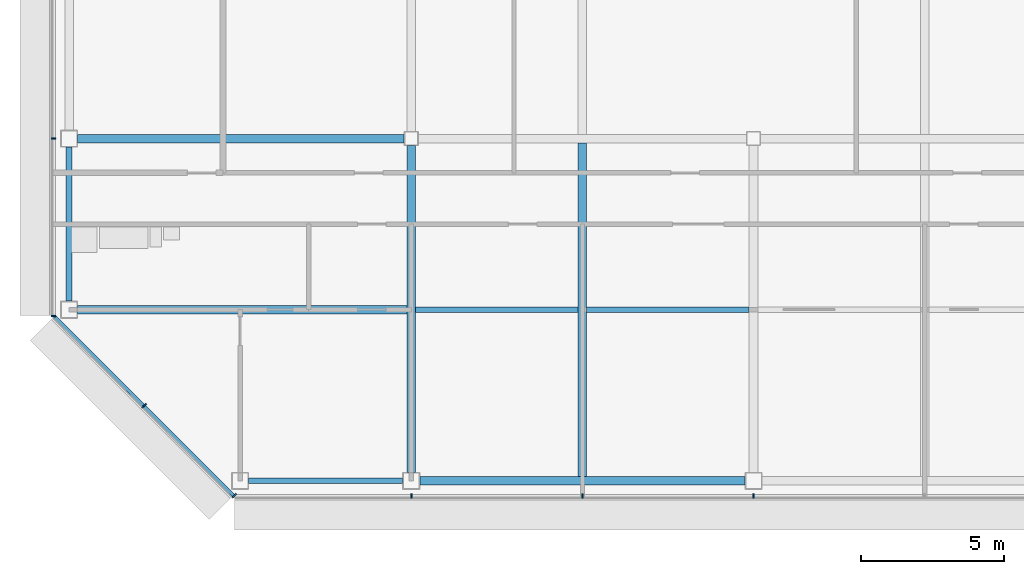
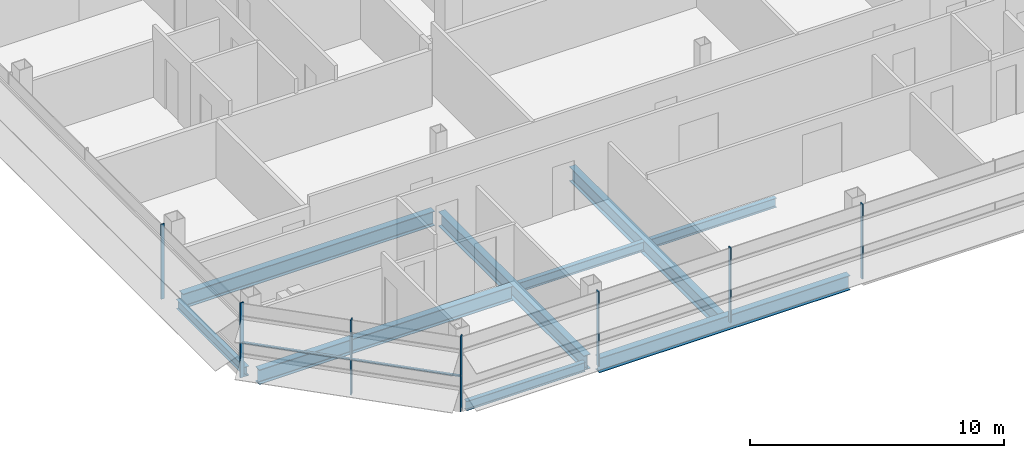
# One storey, part 3 of 28: 9 beams, 8 members, 3 elements without a shape of their own.
"""IFC4 building model written with IfcOpenShell, lengths in metres."""

from ifc_helpers import new_model, si_unit, direction, frame, origin, origin_2d, place, context, subcontext, project, spatial, rectangle, i_section, extrude, material, material_profile, profile_set, type_object, element, aggregate, save


model = new_model("IFC4")

# Units and contexts
model_context = context("Model", 3, precision=1e-05, world=origin(), true_north=direction((0.0, 1.0)))
body_context = subcontext(model_context, "Body", "Model", "MODEL_VIEW")
ifc_project = project(units=[si_unit("LENGTHUNIT", "METRE"), si_unit("AREAUNIT", "SQUARE_METRE"), si_unit("VOLUMEUNIT", "CUBIC_METRE"), si_unit("PLANEANGLEUNIT", "RADIAN"), si_unit("MASSUNIT", "GRAM", prefix="KILO")], contexts=[model_context])

# Site, building, storey
site_placement = place(None, origin())
site = spatial("IfcSite", under=ifc_project, at=site_placement, CompositionType="ELEMENT")
building_placement = place(site_placement, origin())
building = spatial("IfcBuilding", under=site, at=building_placement, Name="Sorahane Residences", CompositionType="ELEMENT")
storey_placement = place(building_placement, frame((0.0, 0.0, 270.199951171875)))
storey = spatial("IfcBuildingStorey", under=building, at=storey_placement, Name="L64", CompositionType="ELEMENT", Elevation=270.199951171875)

# Curtain wall, members
ifc_material_1 = material(Name="Dark low-e glass and black anodised aluminium", Category="aluminium")
curtain_wall_type_1 = type_object("IfcCurtainWallType", Name="Curtain wall CW-1 Typical unitised wall", PredefinedType="NOTDEFINED", material=ifc_material_1)
curtain_wall_1_placement = place(storey_placement, origin())
curtain_wall_1 = element("IfcCurtainWall", 1, at=curtain_wall_1_placement, inside=storey, type_object=curtain_wall_type_1, Name="CW-1 curtain wall L64 S1", PredefinedType="NOTDEFINED")
ifc_material_2 = material(Name="Black anodised aluminium", Category="aluminium")
ifc_material_profile_1 = material_profile(ifc_material_2, rectangle(XDim=0.159912109375, YDim=0.050048828125, at=origin_2d()), Name="Curtain wall mullion CW-1 black anodised aluminium 50x160")
ifc_profile_set_1 = profile_set([ifc_material_profile_1], Name="Black anodised aluminium")
member_type_1 = type_object("IfcMemberType", Name="Curtain wall mullion CW-1 black anodised aluminium 50x160", PredefinedType="MULLION", material=ifc_profile_set_1)
member_1_placement = place(storey_placement, frame((0.0, -0.5400390625, -0.179931640625), z_axis=(0.0, 0.0, 1.0), x_axis=(0.0, -1.0, 0.0)))
member_1 = element("IfcMember", 2, at=member_1_placement, type_object=member_type_1, Name="CW-1 mullion L64 S1.2", PredefinedType="MULLION", context=body_context, shape_type="SweptSolid", body=[
    extrude(rectangle(XDim=0.159912109375, YDim=0.050048828125, at=origin_2d()), origin(), (0.0, 0.0, 1.0), 3.60009765625),
])
member_2_placement = place(storey_placement, frame((6.0, -0.5400390625, -0.179931640625), z_axis=(0.0, 0.0, 1.0), x_axis=(0.0, -1.0, 0.0)))
member_2 = element("IfcMember", 3, at=member_2_placement, type_object=member_type_1, Name="CW-1 mullion L64 S1.3", PredefinedType="MULLION", context=body_context, shape_type="SweptSolid", body=[
    extrude(rectangle(XDim=0.159912109375, YDim=0.050048828125, at=origin_2d()), origin(), (0.0, 0.0, 1.0), 3.60009765625),
])
member_3_placement = place(storey_placement, frame((12.0, -0.5400390625, -0.179931640625), z_axis=(0.0, 0.0, 1.0), x_axis=(0.0, -1.0, 0.0)))
member_3 = element("IfcMember", 4, at=member_3_placement, type_object=member_type_1, Name="CW-1 mullion L64 S1.4", PredefinedType="MULLION", context=body_context, shape_type="SweptSolid", body=[
    extrude(rectangle(XDim=0.159912109375, YDim=0.050048828125, at=origin_2d()), origin(), (0.0, 0.0, 1.0), 3.60009765625),
])
aggregate(curtain_wall_1, [member_1, member_2, member_3])

curtain_wall_2_placement = place(storey_placement, origin())
curtain_wall_2 = element("IfcCurtainWall", 5, at=curtain_wall_2_placement, inside=storey, type_object=curtain_wall_type_1, Name="CW-1 curtain wall L64 W1", PredefinedType="NOTDEFINED")
member_4_placement = place(storey_placement, frame((-12.5400390625, 12.0, -0.179931640625), z_axis=(0.0, 0.0, 1.0), x_axis=(-1.0, 0.0, 0.0)))
member_4 = element("IfcMember", 6, at=member_4_placement, type_object=member_type_1, Name="CW-1 mullion L64 W1.6", PredefinedType="MULLION", context=body_context, shape_type="SweptSolid", body=[
    extrude(rectangle(XDim=0.159912109375, YDim=0.050048828125, at=origin_2d()), origin(), (0.0, 0.0, 1.0), 3.60009765625),
])
member_5_placement = place(storey_placement, frame((-12.5400390625, 5.7763671875, -0.179931640625), z_axis=(0.0, 0.0, 1.0), x_axis=(-1.0, 0.0, 0.0)))
member_5 = element("IfcMember", 7, at=member_5_placement, type_object=member_type_1, Name="CW-1 mullion L64 W1.7", PredefinedType="MULLION", context=body_context, shape_type="SweptSolid", body=[
    extrude(rectangle(XDim=0.159912109375, YDim=0.050048828125, at=origin_2d()), origin(), (0.0, 0.0, 1.0), 3.60009765625),
])
aggregate(curtain_wall_2, [member_4, member_5])

ifc_material_3 = material(Name="Dark low-e glass and black anodised aluminium", Category="aluminium")
curtain_wall_type_2 = type_object("IfcCurtainWallType", Name="Curtain wall CW-2 Chamfer unitised wall", PredefinedType="NOTDEFINED", material=ifc_material_3)
curtain_wall_3_placement = place(storey_placement, origin())
curtain_wall_3 = element("IfcCurtainWall", 8, at=curtain_wall_3_placement, inside=storey, type_object=curtain_wall_type_2, Name="CW-2 curtain wall L64 SW1", PredefinedType="NOTDEFINED")
ifc_material_4 = material(Name="Black anodised aluminium", Category="aluminium")
ifc_material_profile_2 = material_profile(ifc_material_4, rectangle(XDim=0.199951171875, YDim=0.050048828125, at=origin_2d()), Name="Curtain wall mullion CW-2 black anodised aluminium 50x200")
ifc_profile_set_2 = profile_set([ifc_material_profile_2], Name="Black anodised aluminium")
member_type_2 = type_object("IfcMemberType", Name="Curtain wall mullion CW-2 black anodised aluminium 50x200", PredefinedType="MULLION", material=ifc_profile_set_2)
member_6_placement = place(storey_placement, frame((-9.36767578125, 2.63232421875, -0.179931640625), z_axis=(0.0, 0.0, 1.0), x_axis=(-0.707106781187, -0.707106781187, 0.0)))
member_6 = element("IfcMember", 9, at=member_6_placement, type_object=member_type_2, Name="CW-2 mullion L64 SW1.2", PredefinedType="MULLION", context=body_context, shape_type="SweptSolid", body=[
    extrude(rectangle(XDim=0.199951171875, YDim=0.050048828125, at=origin_2d()), origin(), (0.0, 0.0, 1.0), 3.60009765625),
])
member_7_placement = place(storey_placement, frame((-6.209716796875, -0.525634765625, -0.179931640625), z_axis=(0.0, 0.0, 1.0), x_axis=(-0.707106781187, -0.707106781187, 0.0)))
member_7 = element("IfcMember", 10, at=member_7_placement, type_object=member_type_2, Name="CW-2 mullion L64 SW1.3", PredefinedType="MULLION", context=body_context, shape_type="SweptSolid", body=[
    extrude(rectangle(XDim=0.199951171875, YDim=0.050048828125, at=origin_2d()), origin(), (0.0, 0.0, 1.0), 3.60009765625),
])
ifc_material_5 = material(Name="Black anodised aluminium", Category="aluminium")
ifc_material_profile_3 = material_profile(ifc_material_5, rectangle(XDim=0.10009765625, YDim=0.06005859375, at=origin_2d()), Name="Curtain wall transom CW-2 black anodised aluminium 60x100")
ifc_profile_set_3 = profile_set([ifc_material_profile_3], Name="Black anodised aluminium")
member_type_3 = type_object("IfcMemberType", Name="Curtain wall transom CW-2 black anodised aluminium 60x100", PredefinedType="USERDEFINED", material=ifc_profile_set_3)
member_8_placement = place(storey_placement, frame((-12.51513671875, 5.765625, 1.5), z_axis=(0.707106781187, -0.707106781187, 0.0), x_axis=(0.707106781187, 0.707106781187, 0.0)))
member_8 = element("IfcMember", 11, at=member_8_placement, type_object=member_type_3, Name="CW-2 transom L64 SW1", ObjectType="TRANSOM", PredefinedType="USERDEFINED", context=body_context, shape_type="SweptSolid", body=[
    extrude(rectangle(XDim=0.10009765625, YDim=0.06005859375, at=origin_2d()), origin(), (0.0, 0.0, 1.0), 8.88232421875),
])
aggregate(curtain_wall_3, [member_6, member_7, member_8])

# Beams
ifc_material_6 = material(Name="Steel Q355B", Category="steel")
ifc_material_profile_4 = material_profile(ifc_material_6, i_section(OverallWidth=0.199951171875, OverallDepth=0.449951171875, WebThickness=0.009033203125, FlangeThickness=0.013916015625, FilletRadius=0.02001953125, at=origin_2d()), Name="HN 450x200x9x14")
ifc_profile_set_4 = profile_set([ifc_material_profile_4], Name="Steel Q355B")
beam_type_1 = type_object("IfcBeamType", Name="Steel floor beam HN 450x200x9x14 Q355B", PredefinedType="BEAM", material=ifc_profile_set_4)
for number, where, z_axis, x_axis, name in (
    (12, (-5.699951171875, 0.0, -0.405029296875), (1.0, 0.0, 0.0), (0.0, 1.0, 0.0), "Beam L64 000"),
    (13, (-12.0, 6.300048828125, -0.405029296875), (0.0, 1.0, 0.0), (-1.0, 0.0, 0.0), "Beam L64 020"),
):
    element("IfcBeam", number, at=place(storey_placement, frame(where, z_axis=z_axis, x_axis=x_axis)), inside=storey, type_object=beam_type_1, Name=name, PredefinedType="BEAM", context=body_context, shape_type="SweptSolid", body=[
        extrude(i_section(OverallWidth=0.199951171875, OverallDepth=0.449951171875, WebThickness=0.009033203125, FlangeThickness=0.013916015625, FilletRadius=0.02001953125, at=origin_2d()), origin(), (0.0, 0.0, 1.0), 5.39990234375),
    ])
for number, where, z_axis, x_axis, name in (
    (14, (0.14990234375, 6.0, -0.405029296875), (1.0, 0.0, 0.0), (0.0, 1.0, 0.0), "Beam L64 069"),
    (15, (6.14990234375, 6.0, -0.405029296875), (1.0, 0.0, 0.0), (0.0, 1.0, 0.0), "Beam L64 070"),
):
    element("IfcBeam", number, at=place(storey_placement, frame(where, z_axis=z_axis, x_axis=x_axis)), inside=storey, type_object=beam_type_1, Name=name, PredefinedType="BEAM", context=body_context, shape_type="SweptSolid", body=[
        extrude(i_section(OverallWidth=0.199951171875, OverallDepth=0.449951171875, WebThickness=0.009033203125, FlangeThickness=0.013916015625, FilletRadius=0.02001953125, at=origin_2d()), origin(), (0.0, 0.0, 1.0), 5.7001953125),
    ])
ifc_material_7 = material(Name="Steel Q355B", Category="steel")
ifc_material_profile_5 = material_profile(ifc_material_7, i_section(OverallWidth=0.300048828125, OverallDepth=0.699951171875, WebThickness=0.012939453125, FlangeThickness=0.02392578125, FilletRadius=0.028076171875, at=origin_2d()), Name="HN 700x300x13x24")
ifc_profile_set_5 = profile_set([ifc_material_profile_5], Name="Steel Q355B")
beam_type_2 = type_object("IfcBeamType", Name="Steel floor beam HN 700x300x13x24 Q355B", PredefinedType="BEAM", material=ifc_profile_set_5)
beam_1_placement = place(storey_placement, frame((0.300048828125, 0.0, -0.530029296875), z_axis=(1.0, 0.0, 0.0), x_axis=(0.0, 1.0, 0.0)))
element("IfcBeam", 16, at=beam_1_placement, inside=storey, type_object=beam_type_2, Name="Beam L64 001", PredefinedType="BEAM", context=body_context, shape_type="SweptSolid", body=[
    extrude(i_section(OverallWidth=0.300048828125, OverallDepth=0.699951171875, WebThickness=0.012939453125, FlangeThickness=0.02392578125, FilletRadius=0.028076171875, at=origin_2d()), origin(), (0.0, 0.0, 1.0), 11.39990234375),
])
for number, where, z_axis, x_axis, name in (
    (17, (-11.699951171875, 12.0, -0.530029296875), (1.0, 0.0, 0.0), (0.0, 1.0, 0.0), "Beam L64 005"),
    (18, (0.0, 0.300048828125, -0.530029296875), (0.0, 1.0, 0.0), (-1.0, 0.0, 0.0), "Beam L64 024"),
):
    element("IfcBeam", number, at=place(storey_placement, frame(where, z_axis=z_axis, x_axis=x_axis)), inside=storey, type_object=beam_type_2, Name=name, PredefinedType="BEAM", context=body_context, shape_type="SweptSolid", body=[
        extrude(i_section(OverallWidth=0.300048828125, OverallDepth=0.699951171875, WebThickness=0.012939453125, FlangeThickness=0.02392578125, FilletRadius=0.028076171875, at=origin_2d()), origin(), (0.0, 0.0, 1.0), 11.449951171875),
    ])
beam_2_placement = place(storey_placement, frame((6.0, 0.14990234375, -0.530029296875), z_axis=(0.0, 1.0, 0.0), x_axis=(-1.0, 0.0, 0.0)))
element("IfcBeam", 19, at=beam_2_placement, inside=storey, type_object=beam_type_2, Name="Beam L64 028", PredefinedType="BEAM", context=body_context, shape_type="SweptSolid", body=[
    extrude(i_section(OverallWidth=0.300048828125, OverallDepth=0.699951171875, WebThickness=0.012939453125, FlangeThickness=0.02392578125, FilletRadius=0.028076171875, at=origin_2d()), origin(), (0.0, 0.0, 1.0), 11.7001953125),
])
beam_3_placement = place(storey_placement, frame((-11.699951171875, 6.0, -0.530029296875), z_axis=(1.0, 0.0, 0.0), x_axis=(0.0, 1.0, 0.0)))
element("IfcBeam", 20, at=beam_3_placement, inside=storey, type_object=beam_type_2, Name="Beam L64 068", PredefinedType="BEAM", context=body_context, shape_type="SweptSolid", body=[
    extrude(i_section(OverallWidth=0.300048828125, OverallDepth=0.699951171875, WebThickness=0.012939453125, FlangeThickness=0.02392578125, FilletRadius=0.028076171875, at=origin_2d()), origin(), (0.0, 0.0, 1.0), 11.550048828125),
])

save(model, "model.ifc")
